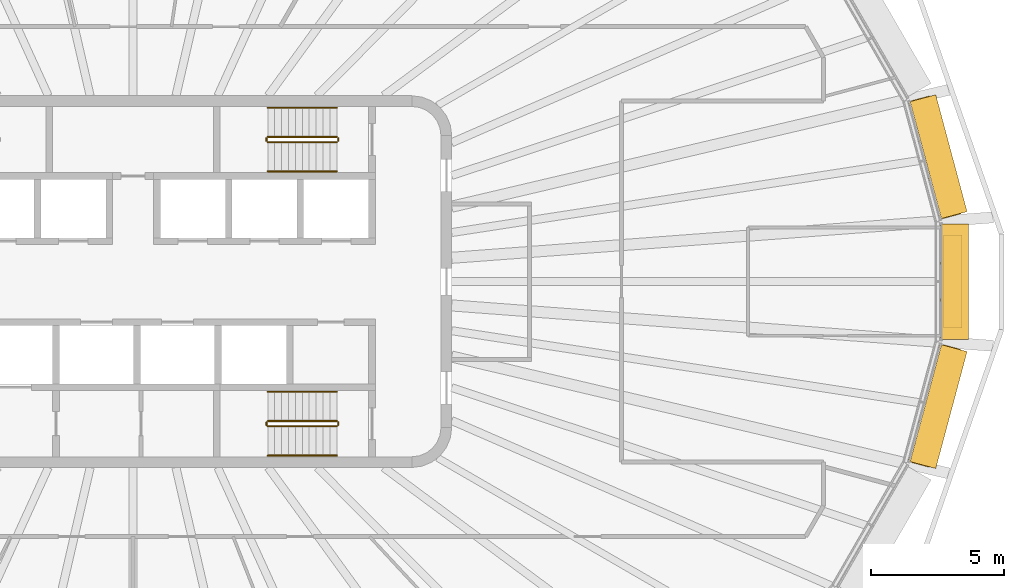
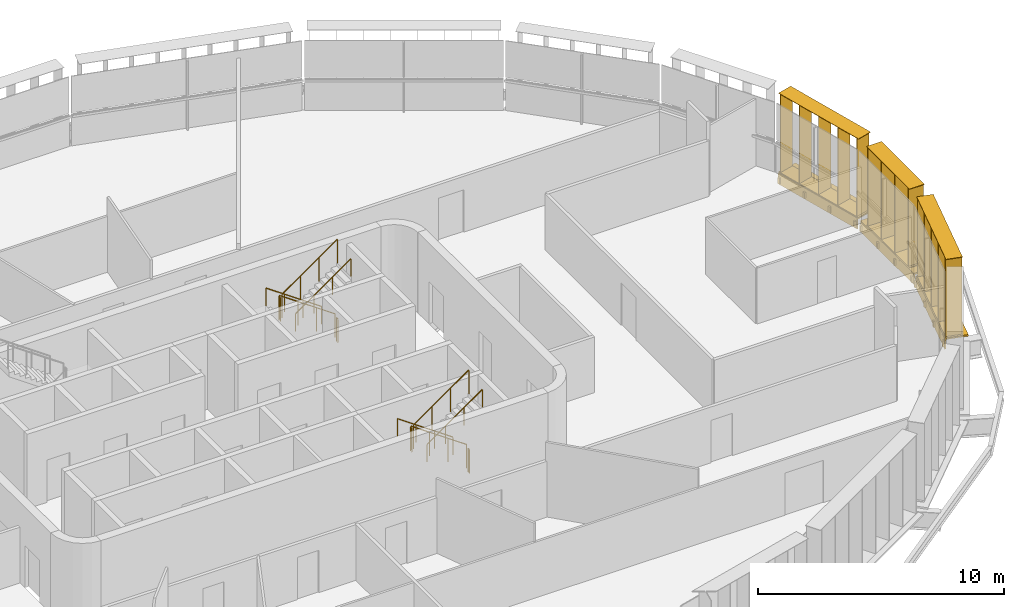
# One storey, part 19 of 20: 12 railings, 6 shading devices.
"""IFC4 building model written with IfcOpenShell, lengths in metres."""

from ifc_helpers import new_model, si_unit, direction, frame, origin, origin_2d, place, context, subcontext, project, spatial, rectangle, circle, extrude, material, type_object, element, save


model = new_model("IFC4")

# Units and contexts
model_context = context("Model", 3, precision=1e-05, world=origin(), true_north=direction((0.0, 1.0)))
body_context = subcontext(model_context, "Body", "Model", "MODEL_VIEW")
ifc_project = project(units=[si_unit("LENGTHUNIT", "METRE"), si_unit("AREAUNIT", "SQUARE_METRE"), si_unit("VOLUMEUNIT", "CUBIC_METRE"), si_unit("PLANEANGLEUNIT", "RADIAN"), si_unit("MASSUNIT", "GRAM", prefix="KILO")], contexts=[model_context])

# Site, building, storey
site_placement = place(None, origin())
site = spatial("IfcSite", under=ifc_project, at=site_placement, CompositionType="ELEMENT")
building_placement = place(site_placement, origin())
building = spatial("IfcBuilding", under=site, at=building_placement, Name="Sahrelin Media Tower", CompositionType="ELEMENT")
storey_placement = place(building_placement, frame((0.0, 0.0, 245.60009765625)))
storey = spatial("IfcBuildingStorey", under=building, at=storey_placement, Name="L53", CompositionType="ELEMENT", Elevation=245.60009765625)

# Shading devices
ifc_material_1 = material(Name="Champagne anodised aluminium 6063-T6", Category="aluminium")
shading_device_type_1 = type_object("IfcShadingDeviceType", Name="Fin cassette", PredefinedType="USERDEFINED", material=ifc_material_1)
placement_1 = place(storey_placement, frame((30.449951171875, 0.0, 0.0), z_axis=(0.0, 0.0, 1.0), x_axis=(0.0, -1.0, 0.0)))
element("IfcShadingDevice", 1, at=placement_1, inside=storey, type_object=shading_device_type_1, Name="L53:FIN:L53-00", ObjectType="FIN", PredefinedType="USERDEFINED", context=body_context, shape_type="SweptSolid", body=[
    extrude(rectangle(XDim=3.5, YDim=0.699951171875, at=origin_2d()), frame((0.0, 0.419921875, 0.0)), (0.0, 0.0, 1.0), 0.02001953125),
    extrude(rectangle(XDim=3.5, YDim=0.699951171875, at=origin_2d()), frame((0.0, 0.419921875, 3.89990234375)), (0.0, 0.0, 1.0), 0.02001953125),
    extrude(rectangle(XDim=0.02001953125, YDim=0.699951171875, at=origin_2d()), frame((-1.64990234375, 0.419921875, 0.010009765625), z_axis=(0.0, 0.0, 1.0), x_axis=(1.0, 0.0, 0.0)), (0.0, 0.0, 1.0), 3.89990234375),
    extrude(rectangle(XDim=0.02001953125, YDim=0.699951171875, at=origin_2d()), frame((-0.550048828125, 0.419921875, 0.010009765625), z_axis=(0.0, 0.0, 1.0), x_axis=(1.0, 0.0, 0.0)), (0.0, 0.0, 1.0), 3.89990234375),
    extrude(rectangle(XDim=0.02001953125, YDim=0.699951171875, at=origin_2d()), frame((0.550048828125, 0.419921875, 0.010009765625), z_axis=(0.0, 0.0, 1.0), x_axis=(1.0, 0.0, 0.0)), (0.0, 0.0, 1.0), 3.89990234375),
    extrude(rectangle(XDim=0.02001953125, YDim=0.699951171875, at=origin_2d()), frame((1.64990234375, 0.419921875, 0.010009765625), z_axis=(0.0, 0.0, 1.0), x_axis=(1.0, 0.0, 0.0)), (0.0, 0.0, 1.0), 3.89990234375),
])
placement_2 = place(storey_placement, frame((29.834228515625, 4.572265625, 0.0), z_axis=(0.0, 0.0, 1.0), x_axis=(0.258807731996, -0.965928857556, 0.0)))
element("IfcShadingDevice", 2, at=placement_2, inside=storey, type_object=shading_device_type_1, Name="L53:FIN:L53-01", ObjectType="FIN", PredefinedType="USERDEFINED", context=body_context, shape_type="SweptSolid", body=[
    extrude(rectangle(XDim=4.60009765625, YDim=0.699951171875, at=origin_2d()), frame((0.0, 0.419921875, 0.0)), (0.0, 0.0, 1.0), 0.02001953125),
    extrude(rectangle(XDim=4.60009765625, YDim=0.699951171875, at=origin_2d()), frame((0.0, 0.419921875, 3.89990234375)), (0.0, 0.0, 1.0), 0.02001953125),
    extrude(rectangle(XDim=0.02001953125, YDim=0.699951171875, at=origin_2d()), frame((-2.199951171875, 0.419921875, 0.010009765625), z_axis=(0.0, 0.0, 1.0), x_axis=(1.0, 0.0, 0.0)), (0.0, 0.0, 1.0), 3.89990234375),
    extrude(rectangle(XDim=0.02001953125, YDim=0.699951171875, at=origin_2d()), frame((-1.10009765625, 0.419921875, 0.010009765625), z_axis=(0.0, 0.0, 1.0), x_axis=(1.0, 0.0, 0.0)), (0.0, 0.0, 1.0), 3.89990234375),
    extrude(rectangle(XDim=0.02001953125, YDim=0.699951171875, at=origin_2d()), frame((0.0, 0.419921875, 0.010009765625), z_axis=(0.0, 0.0, 1.0), x_axis=(1.0, 0.0, 0.0)), (0.0, 0.0, 1.0), 3.89990234375),
    extrude(rectangle(XDim=0.02001953125, YDim=0.699951171875, at=origin_2d()), frame((1.10009765625, 0.419921875, 0.010009765625), z_axis=(0.0, 0.0, 1.0), x_axis=(1.0, 0.0, 0.0)), (0.0, 0.0, 1.0), 3.89990234375),
    extrude(rectangle(XDim=0.02001953125, YDim=0.699951171875, at=origin_2d()), frame((2.199951171875, 0.419921875, 0.010009765625), z_axis=(0.0, 0.0, 1.0), x_axis=(1.0, 0.0, 0.0)), (0.0, 0.0, 1.0), 3.89990234375),
])
placement_3 = place(storey_placement, frame((29.83447265625, -4.572265625, 0.0), z_axis=(0.0, 0.0, 1.0), x_axis=(-0.258807731996, -0.965928857556, 0.0)))
element("IfcShadingDevice", 3, at=placement_3, inside=storey, type_object=shading_device_type_1, Name="L53:FIN:L53-23", ObjectType="FIN", PredefinedType="USERDEFINED", context=body_context, shape_type="SweptSolid", body=[
    extrude(rectangle(XDim=4.60009765625, YDim=0.699951171875, at=origin_2d()), frame((0.0, 0.419921875, 0.0)), (0.0, 0.0, 1.0), 0.02001953125),
    extrude(rectangle(XDim=4.60009765625, YDim=0.699951171875, at=origin_2d()), frame((0.0, 0.419921875, 3.89990234375)), (0.0, 0.0, 1.0), 0.02001953125),
    extrude(rectangle(XDim=0.02001953125, YDim=0.699951171875, at=origin_2d()), frame((-2.199951171875, 0.419921875, 0.010009765625), z_axis=(0.0, 0.0, 1.0), x_axis=(1.0, 0.0, 0.0)), (0.0, 0.0, 1.0), 3.89990234375),
    extrude(rectangle(XDim=0.02001953125, YDim=0.699951171875, at=origin_2d()), frame((-1.10009765625, 0.419921875, 0.010009765625), z_axis=(0.0, 0.0, 1.0), x_axis=(1.0, 0.0, 0.0)), (0.0, 0.0, 1.0), 3.89990234375),
    extrude(rectangle(XDim=0.02001953125, YDim=0.699951171875, at=origin_2d()), frame((0.0, 0.419921875, 0.010009765625), z_axis=(0.0, 0.0, 1.0), x_axis=(1.0, 0.0, 0.0)), (0.0, 0.0, 1.0), 3.89990234375),
    extrude(rectangle(XDim=0.02001953125, YDim=0.699951171875, at=origin_2d()), frame((1.10009765625, 0.419921875, 0.010009765625), z_axis=(0.0, 0.0, 1.0), x_axis=(1.0, 0.0, 0.0)), (0.0, 0.0, 1.0), 3.89990234375),
    extrude(rectangle(XDim=0.02001953125, YDim=0.699951171875, at=origin_2d()), frame((2.199951171875, 0.419921875, 0.010009765625), z_axis=(0.0, 0.0, 1.0), x_axis=(1.0, 0.0, 0.0)), (0.0, 0.0, 1.0), 3.89990234375),
])

# Railings
ifc_material_2 = material(Name="Steel S355", Category="steel")
railing_type_1 = type_object("IfcRailingType", Name="Stair guard 1200", PredefinedType="GUARDRAIL", material=ifc_material_2)
railing_1_placement = place(storey_placement, frame((7.675048828125, 5.449951171875, 0.181640625)))
element("IfcRailing", 4, at=railing_1_placement, inside=storey, type_object=railing_type_1, Name="L53 ST3 stair guard 1", PredefinedType="GUARDRAIL", context=body_context, shape_type="SweptSolid", body=[
    extrude(circle(Radius=0.02392578125, at=origin_2d()), frame((0.0, 0.0, 1.17578125), z_axis=(-0.819484887739, 0.0, 0.573100792852), x_axis=(0.0, -1.0, 0.0)), (0.0, 0.0, 1.0), 3.1728515625),
    extrude(circle(Radius=0.02099609375, at=origin_2d()), origin(), (0.0, 0.0, 1.0), 1.15185546875),
    extrude(circle(Radius=0.02099609375, at=origin_2d()), frame((-0.86669921875, 0.0, 0.606201171875)), (0.0, 0.0, 1.0), 1.15185546875),
    extrude(circle(Radius=0.02099609375, at=origin_2d()), frame((-1.7333984375, 0.0, 1.212158203125)), (0.0, 0.0, 1.0), 1.15185546875),
    extrude(circle(Radius=0.02099609375, at=origin_2d()), frame((-2.60009765625, 0.0, 1.818359375)), (0.0, 0.0, 1.0), 1.15185546875),
])
railing_2_placement = place(storey_placement, frame((5.02490234375, 5.39990234375, 2.0)))
element("IfcRailing", 5, at=railing_2_placement, inside=storey, type_object=railing_type_1, Name="L53 ST3 stair guard 2", PredefinedType="GUARDRAIL", context=body_context, shape_type="SweptSolid", body=[
    extrude(circle(Radius=0.02392578125, at=origin_2d()), frame((0.0, 0.0, 1.17578125), z_axis=(0.0, -1.0, 0.0), x_axis=(1.0, 0.0, 0.0)), (0.0, 0.0, 1.0), 0.099853515625),
    extrude(circle(Radius=0.02099609375, at=origin_2d()), origin(), (0.0, 0.0, 1.0), 1.15185546875),
    extrude(circle(Radius=0.02099609375, at=origin_2d()), frame((0.0, -0.099853515625, 0.0)), (0.0, 0.0, 1.0), 1.15185546875),
])
railing_3_placement = place(storey_placement, frame((5.074951171875, 5.25, 2.181640625)))
element("IfcRailing", 6, at=railing_3_placement, inside=storey, type_object=railing_type_1, Name="L53 ST3 stair guard 3", PredefinedType="GUARDRAIL", context=body_context, shape_type="SweptSolid", body=[
    extrude(circle(Radius=0.02392578125, at=origin_2d()), frame((0.0, 0.0, 1.17578125), z_axis=(0.819484887739, 0.0, 0.573100792852), x_axis=(0.0, 1.0, 0.0)), (0.0, 0.0, 1.0), 3.1728515625),
    extrude(circle(Radius=0.02099609375, at=origin_2d()), origin(), (0.0, 0.0, 1.0), 1.15185546875),
    extrude(circle(Radius=0.02099609375, at=origin_2d()), frame((0.86669921875, 0.0, 0.606201171875)), (0.0, 0.0, 1.0), 1.15185546875),
    extrude(circle(Radius=0.02099609375, at=origin_2d()), frame((1.7333984375, 0.0, 1.212158203125)), (0.0, 0.0, 1.0), 1.15185546875),
    extrude(circle(Radius=0.02099609375, at=origin_2d()), frame((2.60009765625, 0.0, 1.818359375)), (0.0, 0.0, 1.0), 1.15185546875),
])
railing_4_placement = place(storey_placement, frame((7.72509765625, 5.39990234375, 0.0)))
element("IfcRailing", 7, at=railing_4_placement, inside=storey, type_object=railing_type_1, Name="L53 ST3 stair guard 4", PredefinedType="GUARDRAIL", context=body_context, shape_type="SweptSolid", body=[
    extrude(circle(Radius=0.02392578125, at=origin_2d()), frame((0.0, 0.0, 1.17578125), z_axis=(0.0, -1.0, 0.0), x_axis=(1.0, 0.0, 0.0)), (0.0, 0.0, 1.0), 0.099853515625),
    extrude(circle(Radius=0.02099609375, at=origin_2d()), origin(), (0.0, 0.0, 1.0), 1.15185546875),
    extrude(circle(Radius=0.02099609375, at=origin_2d()), frame((0.0, -0.099853515625, 0.0)), (0.0, 0.0, 1.0), 1.15185546875),
])
railing_5_placement = place(storey_placement, frame((7.675048828125, -5.25, 0.181640625)))
element("IfcRailing", 8, at=railing_5_placement, inside=storey, type_object=railing_type_1, Name="L53 ST2 stair guard 1", PredefinedType="GUARDRAIL", context=body_context, shape_type="SweptSolid", body=[
    extrude(circle(Radius=0.02392578125, at=origin_2d()), frame((0.0, 0.0, 1.17578125), z_axis=(-0.819484887739, 0.0, 0.573100792852), x_axis=(0.0, -1.0, 0.0)), (0.0, 0.0, 1.0), 3.1728515625),
    extrude(circle(Radius=0.02099609375, at=origin_2d()), origin(), (0.0, 0.0, 1.0), 1.15185546875),
    extrude(circle(Radius=0.02099609375, at=origin_2d()), frame((-0.86669921875, 0.0, 0.606201171875)), (0.0, 0.0, 1.0), 1.15185546875),
    extrude(circle(Radius=0.02099609375, at=origin_2d()), frame((-1.7333984375, 0.0, 1.212158203125)), (0.0, 0.0, 1.0), 1.15185546875),
    extrude(circle(Radius=0.02099609375, at=origin_2d()), frame((-2.60009765625, 0.0, 1.818359375)), (0.0, 0.0, 1.0), 1.15185546875),
])
railing_6_placement = place(storey_placement, frame((5.02490234375, -5.300048828125, 2.0)))
element("IfcRailing", 9, at=railing_6_placement, inside=storey, type_object=railing_type_1, Name="L53 ST2 stair guard 2", PredefinedType="GUARDRAIL", context=body_context, shape_type="SweptSolid", body=[
    extrude(circle(Radius=0.02392578125, at=origin_2d()), frame((0.0, 0.0, 1.17578125), z_axis=(0.0, -1.0, 0.0), x_axis=(1.0, 0.0, 0.0)), (0.0, 0.0, 1.0), 0.099853515625),
    extrude(circle(Radius=0.02099609375, at=origin_2d()), origin(), (0.0, 0.0, 1.0), 1.15185546875),
    extrude(circle(Radius=0.02099609375, at=origin_2d()), frame((0.0, -0.099853515625, 0.0)), (0.0, 0.0, 1.0), 1.15185546875),
])
railing_7_placement = place(storey_placement, frame((5.074951171875, -5.449951171875, 2.181640625)))
element("IfcRailing", 10, at=railing_7_placement, inside=storey, type_object=railing_type_1, Name="L53 ST2 stair guard 3", PredefinedType="GUARDRAIL", context=body_context, shape_type="SweptSolid", body=[
    extrude(circle(Radius=0.02392578125, at=origin_2d()), frame((0.0, 0.0, 1.17578125), z_axis=(0.819484887739, 0.0, 0.573100792852), x_axis=(0.0, 1.0, 0.0)), (0.0, 0.0, 1.0), 3.1728515625),
    extrude(circle(Radius=0.02099609375, at=origin_2d()), origin(), (0.0, 0.0, 1.0), 1.15185546875),
    extrude(circle(Radius=0.02099609375, at=origin_2d()), frame((0.86669921875, 0.0, 0.606201171875)), (0.0, 0.0, 1.0), 1.15185546875),
    extrude(circle(Radius=0.02099609375, at=origin_2d()), frame((1.7333984375, 0.0, 1.212158203125)), (0.0, 0.0, 1.0), 1.15185546875),
    extrude(circle(Radius=0.02099609375, at=origin_2d()), frame((2.60009765625, 0.0, 1.818359375)), (0.0, 0.0, 1.0), 1.15185546875),
])
railing_8_placement = place(storey_placement, frame((7.72509765625, -5.300048828125, 0.0)))
element("IfcRailing", 11, at=railing_8_placement, inside=storey, type_object=railing_type_1, Name="L53 ST2 stair guard 4", PredefinedType="GUARDRAIL", context=body_context, shape_type="SweptSolid", body=[
    extrude(circle(Radius=0.02392578125, at=origin_2d()), frame((0.0, 0.0, 1.17578125), z_axis=(0.0, -1.0, 0.0), x_axis=(1.0, 0.0, 0.0)), (0.0, 0.0, 1.0), 0.099853515625),
    extrude(circle(Radius=0.02099609375, at=origin_2d()), origin(), (0.0, 0.0, 1.0), 1.15185546875),
    extrude(circle(Radius=0.02099609375, at=origin_2d()), frame((0.0, -0.099853515625, 0.0)), (0.0, 0.0, 1.0), 1.15185546875),
])
railing_type_2 = type_object("IfcRailingType", Name="Stair handrail 900", PredefinedType="HANDRAIL", material=ifc_material_2)
railing_9_placement = place(storey_placement, frame((7.675048828125, 6.550048828125, 0.181640625)))
element("IfcRailing", 12, at=railing_9_placement, inside=storey, type_object=railing_type_2, Name="L53 ST3 stair handrail 1", PredefinedType="HANDRAIL", context=body_context, shape_type="SweptSolid", body=[
    extrude(circle(Radius=0.02392578125, at=origin_2d()), frame((0.0, 0.0, 0.8759765625), z_axis=(-0.819484887739, 0.0, 0.573100792852), x_axis=(0.0, -1.0, 0.0)), (0.0, 0.0, 1.0), 3.1728515625),
    extrude(circle(Radius=0.02099609375, at=origin_2d()), origin(), (0.0, 0.0, 1.0), 0.851806640625),
    extrude(circle(Radius=0.02099609375, at=origin_2d()), frame((-0.86669921875, 0.0, 0.606201171875)), (0.0, 0.0, 1.0), 0.851806640625),
    extrude(circle(Radius=0.02099609375, at=origin_2d()), frame((-1.7333984375, 0.0, 1.212158203125)), (0.0, 0.0, 1.0), 0.851806640625),
    extrude(circle(Radius=0.02099609375, at=origin_2d()), frame((-2.60009765625, 0.0, 1.818359375)), (0.0, 0.0, 1.0), 0.851806640625),
])
railing_10_placement = place(storey_placement, frame((5.074951171875, 4.14990234375, 2.181640625)))
element("IfcRailing", 13, at=railing_10_placement, inside=storey, type_object=railing_type_2, Name="L53 ST3 stair handrail 2", PredefinedType="HANDRAIL", context=body_context, shape_type="SweptSolid", body=[
    extrude(circle(Radius=0.02392578125, at=origin_2d()), frame((0.0, 0.0, 0.8759765625), z_axis=(0.819484887739, 0.0, 0.573100792852), x_axis=(0.0, 1.0, 0.0)), (0.0, 0.0, 1.0), 3.1728515625),
    extrude(circle(Radius=0.02099609375, at=origin_2d()), origin(), (0.0, 0.0, 1.0), 0.851806640625),
    extrude(circle(Radius=0.02099609375, at=origin_2d()), frame((0.86669921875, 0.0, 0.606201171875)), (0.0, 0.0, 1.0), 0.851806640625),
    extrude(circle(Radius=0.02099609375, at=origin_2d()), frame((1.7333984375, 0.0, 1.212158203125)), (0.0, 0.0, 1.0), 0.851806640625),
    extrude(circle(Radius=0.02099609375, at=origin_2d()), frame((2.60009765625, 0.0, 1.818359375)), (0.0, 0.0, 1.0), 0.851806640625),
])
railing_11_placement = place(storey_placement, frame((7.675048828125, -4.14990234375, 0.181640625)))
element("IfcRailing", 14, at=railing_11_placement, inside=storey, type_object=railing_type_2, Name="L53 ST2 stair handrail 1", PredefinedType="HANDRAIL", context=body_context, shape_type="SweptSolid", body=[
    extrude(circle(Radius=0.02392578125, at=origin_2d()), frame((0.0, 0.0, 0.8759765625), z_axis=(-0.819484887739, 0.0, 0.573100792852), x_axis=(0.0, -1.0, 0.0)), (0.0, 0.0, 1.0), 3.1728515625),
    extrude(circle(Radius=0.02099609375, at=origin_2d()), origin(), (0.0, 0.0, 1.0), 0.851806640625),
    extrude(circle(Radius=0.02099609375, at=origin_2d()), frame((-0.86669921875, 0.0, 0.606201171875)), (0.0, 0.0, 1.0), 0.851806640625),
    extrude(circle(Radius=0.02099609375, at=origin_2d()), frame((-1.7333984375, 0.0, 1.212158203125)), (0.0, 0.0, 1.0), 0.851806640625),
    extrude(circle(Radius=0.02099609375, at=origin_2d()), frame((-2.60009765625, 0.0, 1.818359375)), (0.0, 0.0, 1.0), 0.851806640625),
])
railing_12_placement = place(storey_placement, frame((5.074951171875, -6.550048828125, 2.181640625)))
element("IfcRailing", 15, at=railing_12_placement, inside=storey, type_object=railing_type_2, Name="L53 ST2 stair handrail 2", PredefinedType="HANDRAIL", context=body_context, shape_type="SweptSolid", body=[
    extrude(circle(Radius=0.02392578125, at=origin_2d()), frame((0.0, 0.0, 0.8759765625), z_axis=(0.819484887739, 0.0, 0.573100792852), x_axis=(0.0, 1.0, 0.0)), (0.0, 0.0, 1.0), 3.1728515625),
    extrude(circle(Radius=0.02099609375, at=origin_2d()), origin(), (0.0, 0.0, 1.0), 0.851806640625),
    extrude(circle(Radius=0.02099609375, at=origin_2d()), frame((0.86669921875, 0.0, 0.606201171875)), (0.0, 0.0, 1.0), 0.851806640625),
    extrude(circle(Radius=0.02099609375, at=origin_2d()), frame((1.7333984375, 0.0, 1.212158203125)), (0.0, 0.0, 1.0), 0.851806640625),
    extrude(circle(Radius=0.02099609375, at=origin_2d()), frame((2.60009765625, 0.0, 1.818359375)), (0.0, 0.0, 1.0), 0.851806640625),
])

# Shading devices
shading_device_type_2 = type_object("IfcShadingDeviceType", Name="Sunshade band", PredefinedType="USERDEFINED", material=ifc_material_1)
element("IfcShadingDevice", 16, at=placement_1, inside=storey, type_object=shading_device_type_2, Name="L53:SUN:L53-00", ObjectType="SUNSHADE", PredefinedType="USERDEFINED", context=body_context, shape_type="SweptSolid", body=[
    extrude(rectangle(XDim=4.34912109375, YDim=0.050048828125, at=origin_2d()), frame((0.0, 0.044921875, -0.55126953125)), (0.0, 0.0, 1.0), 0.471435546875),
    extrude(rectangle(XDim=4.34912109375, YDim=1.0, at=origin_2d()), frame((0.0, 0.52001953125, -0.080078125)), (0.0, 0.0, 1.0), 0.080078125),
    extrude(rectangle(XDim=0.10009765625, YDim=0.074951171875, at=origin_2d()), frame((-2.074462890625, -0.017578125, -0.47021484375)), (0.0, 0.0, 1.0), 0.300048828125),
    extrude(rectangle(XDim=0.10009765625, YDim=0.074951171875, at=origin_2d()), frame((-0.69140625, -0.017578125, -0.47021484375)), (0.0, 0.0, 1.0), 0.300048828125),
    extrude(rectangle(XDim=0.10009765625, YDim=0.074951171875, at=origin_2d()), frame((0.69140625, -0.017578125, -0.47021484375)), (0.0, 0.0, 1.0), 0.300048828125),
    extrude(rectangle(XDim=0.10009765625, YDim=0.074951171875, at=origin_2d()), frame((2.074462890625, -0.017578125, -0.47021484375)), (0.0, 0.0, 1.0), 0.300048828125),
])
element("IfcShadingDevice", 17, at=placement_2, inside=storey, type_object=shading_device_type_2, Name="L53:SUN:L53-01", ObjectType="SUNSHADE", PredefinedType="USERDEFINED", context=body_context, shape_type="SweptSolid", body=[
    extrude(rectangle(XDim=4.5576171875, YDim=0.050048828125, at=origin_2d()), frame((0.0, 0.044921875, -0.55126953125)), (0.0, 0.0, 1.0), 0.471435546875),
    extrude(rectangle(XDim=4.5576171875, YDim=1.0, at=origin_2d()), frame((0.0, 0.52001953125, -0.080078125)), (0.0, 0.0, 1.0), 0.080078125),
    extrude(rectangle(XDim=0.10009765625, YDim=0.074951171875, at=origin_2d()), frame((-2.1787109375, -0.017578125, -0.47021484375)), (0.0, 0.0, 1.0), 0.300048828125),
    extrude(rectangle(XDim=0.10009765625, YDim=0.074951171875, at=origin_2d()), frame((-0.726318359375, -0.017578125, -0.47021484375)), (0.0, 0.0, 1.0), 0.300048828125),
    extrude(rectangle(XDim=0.10009765625, YDim=0.074951171875, at=origin_2d()), frame((0.726318359375, -0.017578125, -0.47021484375)), (0.0, 0.0, 1.0), 0.300048828125),
    extrude(rectangle(XDim=0.10009765625, YDim=0.074951171875, at=origin_2d()), frame((2.1787109375, -0.017578125, -0.47021484375)), (0.0, 0.0, 1.0), 0.300048828125),
])
element("IfcShadingDevice", 18, at=placement_3, inside=storey, type_object=shading_device_type_2, Name="L53:SUN:L53-23", ObjectType="SUNSHADE", PredefinedType="USERDEFINED", context=body_context, shape_type="SweptSolid", body=[
    extrude(rectangle(XDim=4.5576171875, YDim=0.050048828125, at=origin_2d()), frame((0.0, 0.044921875, -0.55126953125)), (0.0, 0.0, 1.0), 0.471435546875),
    extrude(rectangle(XDim=4.5576171875, YDim=1.0, at=origin_2d()), frame((0.0, 0.52001953125, -0.080078125)), (0.0, 0.0, 1.0), 0.080078125),
    extrude(rectangle(XDim=0.10009765625, YDim=0.074951171875, at=origin_2d()), frame((-2.1787109375, -0.017578125, -0.47021484375)), (0.0, 0.0, 1.0), 0.300048828125),
    extrude(rectangle(XDim=0.10009765625, YDim=0.074951171875, at=origin_2d()), frame((-0.726318359375, -0.017578125, -0.47021484375)), (0.0, 0.0, 1.0), 0.300048828125),
    extrude(rectangle(XDim=0.10009765625, YDim=0.074951171875, at=origin_2d()), frame((0.726318359375, -0.017578125, -0.47021484375)), (0.0, 0.0, 1.0), 0.300048828125),
    extrude(rectangle(XDim=0.10009765625, YDim=0.074951171875, at=origin_2d()), frame((2.1787109375, -0.017578125, -0.47021484375)), (0.0, 0.0, 1.0), 0.300048828125),
])

save(model, "model.ifc")
